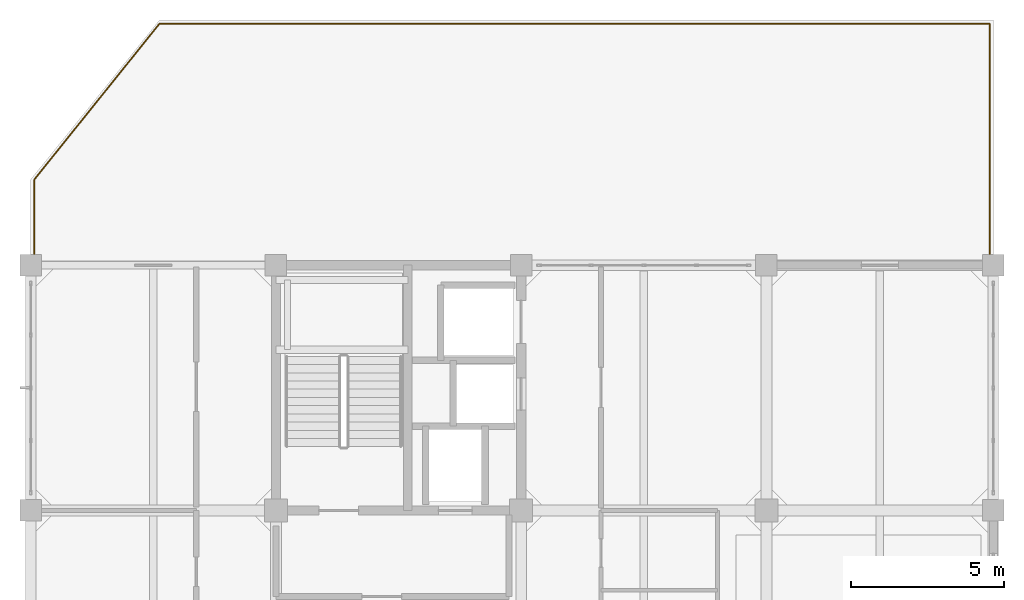
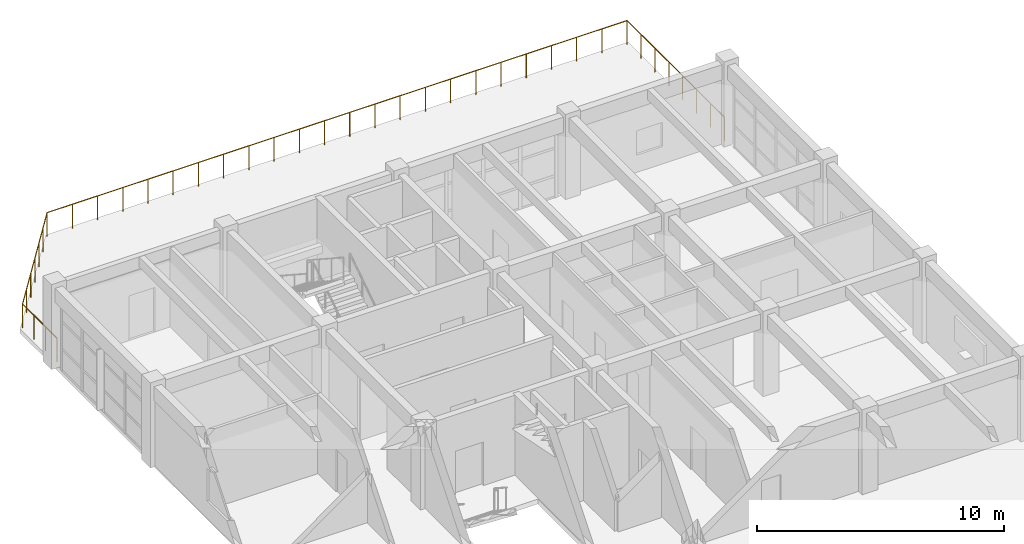
# One storey, part 19 of 19: 1 railing.
"""IFC4 building model written with IfcOpenShell, lengths in metres."""

from ifc_helpers import new_model, si_unit, direction, frame, origin, origin_2d, place, context, subcontext, project, spatial, circle, extrude, material, type_object, element, save


model = new_model("IFC4")

# Units and contexts
model_context = context("Model", 3, precision=1e-05, world=origin(), true_north=direction((0.0, 1.0)))
body_context = subcontext(model_context, "Body", "Model", "MODEL_VIEW")
ifc_project = project(units=[si_unit("LENGTHUNIT", "METRE"), si_unit("AREAUNIT", "SQUARE_METRE"), si_unit("VOLUMEUNIT", "CUBIC_METRE"), si_unit("PLANEANGLEUNIT", "RADIAN"), si_unit("MASSUNIT", "GRAM", prefix="KILO")], contexts=[model_context])

# Site, building, storey
site_placement = place(None, origin())
site = spatial("IfcSite", under=ifc_project, at=site_placement, CompositionType="ELEMENT")
building_placement = place(site_placement, origin())
building = spatial("IfcBuilding", under=site, at=building_placement, Name="Canggui Botanical Conservatory", CompositionType="ELEMENT")
storey_placement = place(building_placement, frame((0.0, 0.0, 48.60009765625)))
storey = spatial("IfcBuildingStorey", under=building, at=storey_placement, Name="L12", CompositionType="ELEMENT", Elevation=48.60009765625)

# Railing
ifc_material = material(Name="Laminated Safety Glass", Category="glass")
railing_type = type_object("IfcRailingType", Name="RAIL-TERR-1200", PredefinedType="BALUSTRADE", material=ifc_material)
railing_placement = place(storey_placement, frame((146.1201171875, 66.02001953125, 0.0)))
element("IfcRailing", 1, at=railing_placement, inside=storey, type_object=railing_type, Name="Sky Terrace Laminated Glass Balustrade L12", PredefinedType="BALUSTRADE", context=body_context, shape_type="SweptSolid", body=[
    extrude(circle(Radius=0.02392578125, at=origin_2d()), frame((0.0, 0.0, 1.17578125), z_axis=(0.0, 1.0, 0.0), x_axis=(-1.0, 0.0, 0.0)), (0.0, 0.0, 1.0), 2.780029296875),
    extrude(circle(Radius=0.02392578125, at=origin_2d()), frame((0.0, 2.780029296875, 1.17578125), z_axis=(0.626188198729, 0.779671943687, 0.0), x_axis=(-0.779671943687, 0.626188198729, 0.0)), (0.0, 0.0, 1.0), 6.515380859375),
    extrude(circle(Radius=0.02392578125, at=origin_2d()), frame((4.079833984375, 7.85986328125, 1.17578125), z_axis=(1.0, 0.0, 0.0), x_axis=(0.0, 1.0, 0.0)), (0.0, 0.0, 1.0), 27.080078125),
    extrude(circle(Radius=0.02392578125, at=origin_2d()), frame((31.159912109375, 7.85986328125, 1.17578125), z_axis=(0.0, -1.0, 0.0), x_axis=(1.0, 0.0, 0.0)), (0.0, 0.0, 1.0), 7.85986328125),
    extrude(circle(Radius=0.02099609375, at=origin_2d()), origin(), (0.0, 0.0, 1.0), 1.15185546875),
    extrude(circle(Radius=0.02099609375, at=origin_2d()), frame((0.0, 0.9267578125, 0.0)), (0.0, 0.0, 1.0), 1.15185546875),
    extrude(circle(Radius=0.02099609375, at=origin_2d()), frame((0.0, 1.853271484375, 0.0)), (0.0, 0.0, 1.0), 1.15185546875),
    extrude(circle(Radius=0.02099609375, at=origin_2d()), frame((0.0, 2.780029296875, 0.0)), (0.0, 0.0, 1.0), 1.15185546875),
    extrude(circle(Radius=0.02099609375, at=origin_2d()), frame((0.679931640625, 3.626708984375, 0.0)), (0.0, 0.0, 1.0), 1.15185546875),
    extrude(circle(Radius=0.02099609375, at=origin_2d()), frame((1.35986328125, 4.473388671875, 0.0)), (0.0, 0.0, 1.0), 1.15185546875),
    extrude(circle(Radius=0.02099609375, at=origin_2d()), frame((2.0400390625, 5.31982421875, 0.0)), (0.0, 0.0, 1.0), 1.15185546875),
    extrude(circle(Radius=0.02099609375, at=origin_2d()), frame((2.719970703125, 6.16650390625, 0.0)), (0.0, 0.0, 1.0), 1.15185546875),
    extrude(circle(Radius=0.02099609375, at=origin_2d()), frame((3.39990234375, 7.01318359375, 0.0)), (0.0, 0.0, 1.0), 1.15185546875),
    extrude(circle(Radius=0.02099609375, at=origin_2d()), frame((4.079833984375, 7.85986328125, 0.0)), (0.0, 0.0, 1.0), 1.15185546875),
    extrude(circle(Radius=0.02099609375, at=origin_2d()), frame((5.25732421875, 7.85986328125, 0.0)), (0.0, 0.0, 1.0), 1.15185546875),
    extrude(circle(Radius=0.02099609375, at=origin_2d()), frame((6.4345703125, 7.85986328125, 0.0)), (0.0, 0.0, 1.0), 1.15185546875),
    extrude(circle(Radius=0.02099609375, at=origin_2d()), frame((7.612060546875, 7.85986328125, 0.0)), (0.0, 0.0, 1.0), 1.15185546875),
    extrude(circle(Radius=0.02099609375, at=origin_2d()), frame((8.789306640625, 7.85986328125, 0.0)), (0.0, 0.0, 1.0), 1.15185546875),
    extrude(circle(Radius=0.02099609375, at=origin_2d()), frame((9.966796875, 7.85986328125, 0.0)), (0.0, 0.0, 1.0), 1.15185546875),
    extrude(circle(Radius=0.02099609375, at=origin_2d()), frame((11.144287109375, 7.85986328125, 0.0)), (0.0, 0.0, 1.0), 1.15185546875),
    extrude(circle(Radius=0.02099609375, at=origin_2d()), frame((12.321533203125, 7.85986328125, 0.0)), (0.0, 0.0, 1.0), 1.15185546875),
    extrude(circle(Radius=0.02099609375, at=origin_2d()), frame((13.4990234375, 7.85986328125, 0.0)), (0.0, 0.0, 1.0), 1.15185546875),
    extrude(circle(Radius=0.02099609375, at=origin_2d()), frame((14.67626953125, 7.85986328125, 0.0)), (0.0, 0.0, 1.0), 1.15185546875),
    extrude(circle(Radius=0.02099609375, at=origin_2d()), frame((15.853759765625, 7.85986328125, 0.0)), (0.0, 0.0, 1.0), 1.15185546875),
    extrude(circle(Radius=0.02099609375, at=origin_2d()), frame((17.03125, 7.85986328125, 0.0)), (0.0, 0.0, 1.0), 1.15185546875),
    extrude(circle(Radius=0.02099609375, at=origin_2d()), frame((18.20849609375, 7.85986328125, 0.0)), (0.0, 0.0, 1.0), 1.15185546875),
    extrude(circle(Radius=0.02099609375, at=origin_2d()), frame((19.385986328125, 7.85986328125, 0.0)), (0.0, 0.0, 1.0), 1.15185546875),
    extrude(circle(Radius=0.02099609375, at=origin_2d()), frame((20.5634765625, 7.85986328125, 0.0)), (0.0, 0.0, 1.0), 1.15185546875),
    extrude(circle(Radius=0.02099609375, at=origin_2d()), frame((21.74072265625, 7.85986328125, 0.0)), (0.0, 0.0, 1.0), 1.15185546875),
    extrude(circle(Radius=0.02099609375, at=origin_2d()), frame((22.918212890625, 7.85986328125, 0.0)), (0.0, 0.0, 1.0), 1.15185546875),
    extrude(circle(Radius=0.02099609375, at=origin_2d()), frame((24.095458984375, 7.85986328125, 0.0)), (0.0, 0.0, 1.0), 1.15185546875),
    extrude(circle(Radius=0.02099609375, at=origin_2d()), frame((25.27294921875, 7.85986328125, 0.0)), (0.0, 0.0, 1.0), 1.15185546875),
    extrude(circle(Radius=0.02099609375, at=origin_2d()), frame((26.450439453125, 7.85986328125, 0.0)), (0.0, 0.0, 1.0), 1.15185546875),
    extrude(circle(Radius=0.02099609375, at=origin_2d()), frame((27.627685546875, 7.85986328125, 0.0)), (0.0, 0.0, 1.0), 1.15185546875),
    extrude(circle(Radius=0.02099609375, at=origin_2d()), frame((28.80517578125, 7.85986328125, 0.0)), (0.0, 0.0, 1.0), 1.15185546875),
    extrude(circle(Radius=0.02099609375, at=origin_2d()), frame((29.982421875, 7.85986328125, 0.0)), (0.0, 0.0, 1.0), 1.15185546875),
    extrude(circle(Radius=0.02099609375, at=origin_2d()), frame((31.159912109375, 7.85986328125, 0.0)), (0.0, 0.0, 1.0), 1.15185546875),
    extrude(circle(Radius=0.02099609375, at=origin_2d()), frame((31.159912109375, 6.737060546875, 0.0)), (0.0, 0.0, 1.0), 1.15185546875),
    extrude(circle(Radius=0.02099609375, at=origin_2d()), frame((31.159912109375, 5.6142578125, 0.0)), (0.0, 0.0, 1.0), 1.15185546875),
    extrude(circle(Radius=0.02099609375, at=origin_2d()), frame((31.159912109375, 4.491455078125, 0.0)), (0.0, 0.0, 1.0), 1.15185546875),
    extrude(circle(Radius=0.02099609375, at=origin_2d()), frame((31.159912109375, 3.368408203125, 0.0)), (0.0, 0.0, 1.0), 1.15185546875),
    extrude(circle(Radius=0.02099609375, at=origin_2d()), frame((31.159912109375, 2.24560546875, 0.0)), (0.0, 0.0, 1.0), 1.15185546875),
    extrude(circle(Radius=0.02099609375, at=origin_2d()), frame((31.159912109375, 1.122802734375, 0.0)), (0.0, 0.0, 1.0), 1.15185546875),
    extrude(circle(Radius=0.02099609375, at=origin_2d()), frame((31.159912109375, 0.0, 0.0)), (0.0, 0.0, 1.0), 1.15185546875),
])

save(model, "model.ifc")
